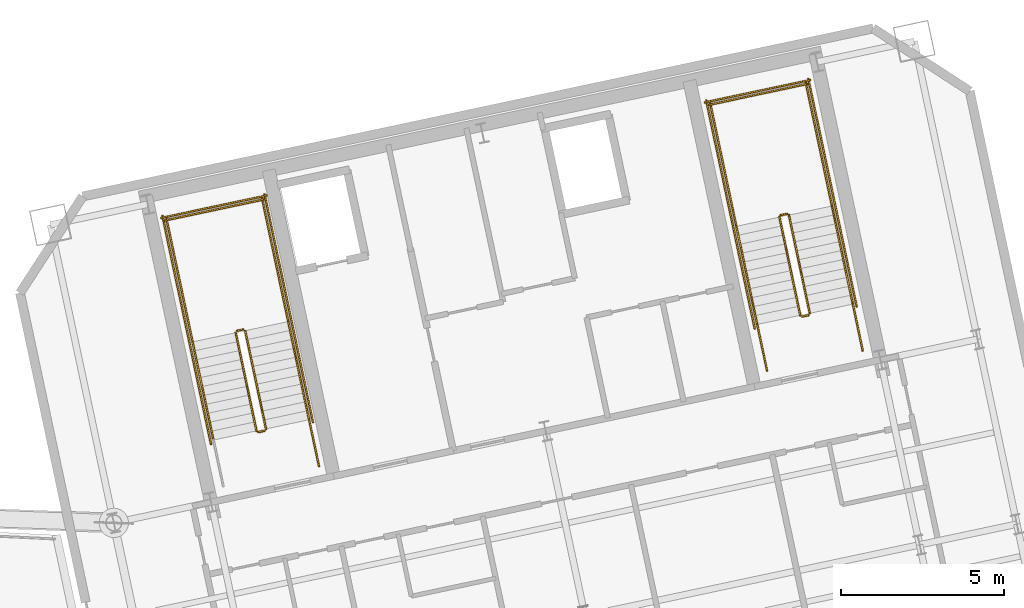
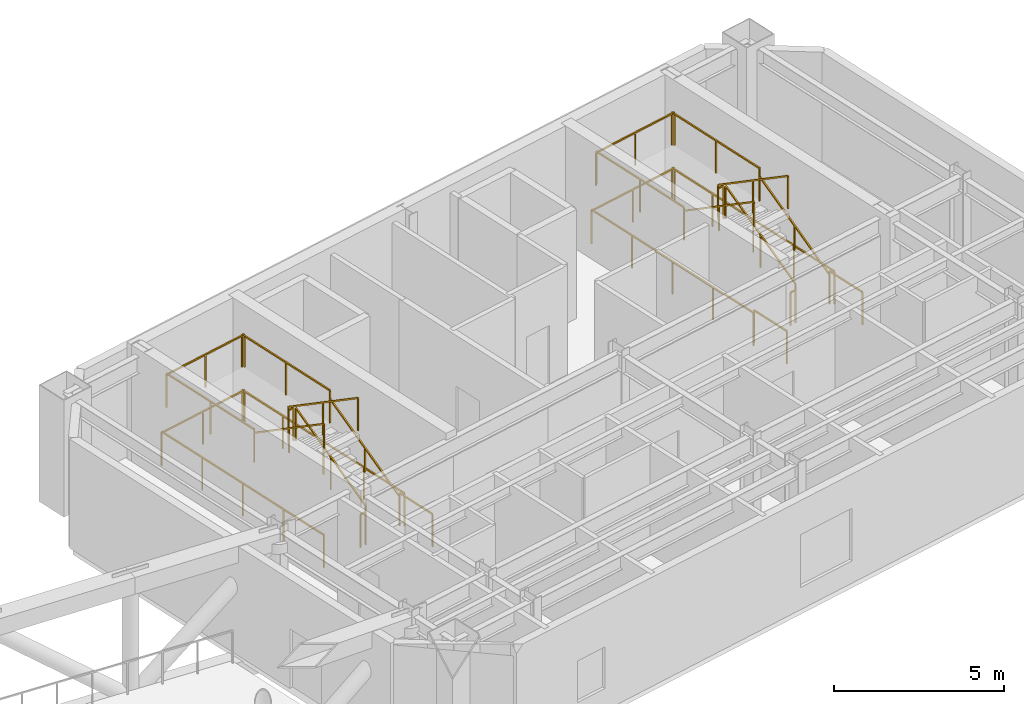
# One storey, part 14 of 14: 27 railings.
"""IFC4 building model written with IfcOpenShell, lengths in metres."""

from ifc_helpers import new_model, si_unit, direction, frame, origin, origin_2d, place, context, subcontext, project, spatial, rectangle, extrude, material, type_object, element, save


model = new_model("IFC4")

# Units and contexts
model_context = context("Model", 3, precision=1e-05, world=origin(), true_north=direction((0.0, 1.0)))
body_context = subcontext(model_context, "Body", "Model", "MODEL_VIEW")
ifc_project = project(units=[si_unit("LENGTHUNIT", "METRE"), si_unit("AREAUNIT", "SQUARE_METRE"), si_unit("VOLUMEUNIT", "CUBIC_METRE"), si_unit("PLANEANGLEUNIT", "RADIAN"), si_unit("MASSUNIT", "GRAM", prefix="KILO")], contexts=[model_context])

# Site, building, storey
site_placement = place(None, origin())
site = spatial("IfcSite", under=ifc_project, at=site_placement, CompositionType="ELEMENT")
building_placement = place(site_placement, origin())
building = spatial("IfcBuilding", under=site, at=building_placement, Name="Haevon Station Towers", CompositionType="ELEMENT")
storey_placement = place(building_placement, frame((0.0, 0.0, 201.300048828125)))
storey = spatial("IfcBuildingStorey", under=building, at=storey_placement, Name="L55", CompositionType="ELEMENT", Elevation=201.300048828125)

# Railings
ifc_material = material(Name="Steel S355", Category="steel")
railing_type_1 = type_object("IfcRailingType", Name="GRD-STR1200", PredefinedType="GUARDRAIL", material=ifc_material)
railing_1_placement = place(storey_placement, frame((100.44140625, 39.69287109375, 0.175048828125)))
element("IfcRailing", 1, at=railing_1_placement, inside=storey, type_object=railing_type_1, Name="L55 ST3 Stair Guard 1", PredefinedType="GUARDRAIL", context=body_context, shape_type="SweptSolid", body=[
    extrude(rectangle(XDim=0.048095703125, YDim=0.048095703125, at=origin_2d()), frame((0.0, 0.0, 1.17578125), z_axis=(-0.176317186199, 0.829490689172, 0.5299598536), x_axis=(-0.978146762005, -0.207915636689, 0.0)), (0.0, 0.0, 1.0), 3.632080078125),
    extrude(rectangle(XDim=0.0419921875, YDim=0.0419921875, at=origin_2d()), origin(), (0.0, 0.0, 1.0), 1.15185546875),
    extrude(rectangle(XDim=0.0419921875, YDim=0.0419921875, at=origin_2d()), frame((-0.3203125, 1.50634765625, 0.96240234375)), (0.0, 0.0, 1.0), 1.15185546875),
    extrude(rectangle(XDim=0.0419921875, YDim=0.0419921875, at=origin_2d()), frame((-0.640380859375, 3.0126953125, 1.9248046875)), (0.0, 0.0, 1.0), 1.15185546875),
])
railing_2_placement = place(storey_placement, frame((99.74169921875, 42.743896484375, 2.099853515625)))
element("IfcRailing", 2, at=railing_2_placement, inside=storey, type_object=railing_type_1, Name="L55 ST3 Stair Guard 2", PredefinedType="GUARDRAIL", context=body_context, shape_type="SweptSolid", body=[
    extrude(rectangle(XDim=0.048095703125, YDim=0.048095703125, at=origin_2d()), frame((0.0, 0.0, 1.17578125), z_axis=(-0.978211583308, -0.207610448392, 0.0), x_axis=(0.207610448392, -0.978211583308, 0.0)), (0.0, 0.0, 1.0), 0.199951171875),
    extrude(rectangle(XDim=0.0419921875, YDim=0.0419921875, at=origin_2d()), origin(), (0.0, 0.0, 1.0), 1.15185546875),
    extrude(rectangle(XDim=0.0419921875, YDim=0.0419921875, at=origin_2d()), frame((-0.195556640625, -0.04150390625, 0.0)), (0.0, 0.0, 1.0), 1.15185546875),
])
railing_3_placement = place(storey_placement, frame((101.12158203125, 42.986083984375, 2.099853515625)))
element("IfcRailing", 3, at=railing_3_placement, inside=storey, type_object=railing_type_1, Name="L55 ST3 Stair Guard 3", PredefinedType="GUARDRAIL", context=body_context, shape_type="SweptSolid", body=[
    extrude(rectangle(XDim=0.048095703125, YDim=0.048095703125, at=origin_2d()), frame((0.0, 0.0, 1.17578125), z_axis=(-0.207930432828, 0.978143616809, 0.0), x_axis=(-0.978143616809, -0.207930432828, 0.0)), (0.0, 0.0, 1.0), 3.869873046875),
    extrude(rectangle(XDim=0.0419921875, YDim=0.0419921875, at=origin_2d()), origin(), (0.0, 0.0, 1.0), 1.15185546875),
    extrude(rectangle(XDim=0.0419921875, YDim=0.0419921875, at=origin_2d()), frame((-0.40234375, 1.892578125, 0.0)), (0.0, 0.0, 1.0), 1.15185546875),
    extrude(rectangle(XDim=0.0419921875, YDim=0.0419921875, at=origin_2d()), frame((-0.8046875, 3.785400390625, 0.0)), (0.0, 0.0, 1.0), 1.15185546875),
])
railing_4_placement = place(storey_placement, frame((98.18701171875, 42.3623046875, 2.099853515625)))
element("IfcRailing", 4, at=railing_4_placement, inside=storey, type_object=railing_type_1, Name="L55 ST3 Stair Guard 4", PredefinedType="GUARDRAIL", context=body_context, shape_type="SweptSolid", body=[
    extrude(rectangle(XDim=0.048095703125, YDim=0.048095703125, at=origin_2d()), frame((0.0, 0.0, 1.17578125), z_axis=(-0.207857246892, 0.978159171564, 0.0), x_axis=(-0.978159171564, -0.207857246892, 0.0)), (0.0, 0.0, 1.0), 3.8701171875),
    extrude(rectangle(XDim=0.0419921875, YDim=0.0419921875, at=origin_2d()), origin(), (0.0, 0.0, 1.0), 1.15185546875),
    extrude(rectangle(XDim=0.0419921875, YDim=0.0419921875, at=origin_2d()), frame((-0.40234375, 1.892822265625, 0.0)), (0.0, 0.0, 1.0), 1.15185546875),
    extrude(rectangle(XDim=0.0419921875, YDim=0.0419921875, at=origin_2d()), frame((-0.804443359375, 3.78564453125, 0.0)), (0.0, 0.0, 1.0), 1.15185546875),
])
railing_5_placement = place(storey_placement, frame((100.376220703125, 46.733154296875, 2.099853515625)))
element("IfcRailing", 5, at=railing_5_placement, inside=storey, type_object=railing_type_1, Name="L55 ST3 Stair Guard 5", PredefinedType="GUARDRAIL", context=body_context, shape_type="SweptSolid", body=[
    extrude(rectangle(XDim=0.048095703125, YDim=0.048095703125, at=origin_2d()), frame((0.0, 0.0, 1.17578125), z_axis=(-0.978146839882, -0.207915270313, 0.0), x_axis=(0.207915270313, -0.978146839882, 0.0)), (0.0, 0.0, 1.0), 3.099853515625),
    extrude(rectangle(XDim=0.0419921875, YDim=0.0419921875, at=origin_2d()), origin(), (0.0, 0.0, 1.0), 1.15185546875),
    extrude(rectangle(XDim=0.0419921875, YDim=0.0419921875, at=origin_2d()), frame((-1.51611328125, -0.322265625, 0.0)), (0.0, 0.0, 1.0), 1.15185546875),
    extrude(rectangle(XDim=0.0419921875, YDim=0.0419921875, at=origin_2d()), frame((-3.0322265625, -0.64453125, 0.0)), (0.0, 0.0, 1.0), 1.15185546875),
])
railing_6_placement = place(storey_placement, frame((99.507568359375, 42.64306640625, 2.27490234375)))
element("IfcRailing", 6, at=railing_6_placement, inside=storey, type_object=railing_type_1, Name="L55 ST3 Stair Guard 6", PredefinedType="GUARDRAIL", context=body_context, shape_type="SweptSolid", body=[
    extrude(rectangle(XDim=0.048095703125, YDim=0.048095703125, at=origin_2d()), frame((0.0, 0.0, 1.17578125), z_axis=(0.176310905062, -0.829461139329, 0.53000819154), x_axis=(0.978146762005, 0.207915636689, 0.0)), (0.0, 0.0, 1.0), 3.632080078125),
    extrude(rectangle(XDim=0.0419921875, YDim=0.0419921875, at=origin_2d()), origin(), (0.0, 0.0, 1.0), 1.15185546875),
    extrude(rectangle(XDim=0.0419921875, YDim=0.0419921875, at=origin_2d()), frame((0.3203125, -1.50634765625, 0.96240234375)), (0.0, 0.0, 1.0), 1.15185546875),
    extrude(rectangle(XDim=0.0419921875, YDim=0.0419921875, at=origin_2d()), frame((0.640380859375, -3.0126953125, 1.925048828125)), (0.0, 0.0, 1.0), 1.15185546875),
])
railing_7_placement = place(storey_placement, frame((100.40283203125, 39.633544921875, 0.0)))
element("IfcRailing", 7, at=railing_7_placement, inside=storey, type_object=railing_type_1, Name="L55 ST3 Stair Guard 7", PredefinedType="GUARDRAIL", context=body_context, shape_type="SweptSolid", body=[
    extrude(rectangle(XDim=0.048095703125, YDim=0.048095703125, at=origin_2d()), frame((0.0, 0.0, 1.17578125), z_axis=(-0.977962931203, -0.208778603291, 0.0), x_axis=(0.208778603291, -0.977962931203, 0.0)), (0.0, 0.0, 1.0), 0.199951171875),
    extrude(rectangle(XDim=0.0419921875, YDim=0.0419921875, at=origin_2d()), origin(), (0.0, 0.0, 1.0), 1.15185546875),
    extrude(rectangle(XDim=0.0419921875, YDim=0.0419921875, at=origin_2d()), frame((-0.195556640625, -0.041748046875, 0.0)), (0.0, 0.0, 1.0), 1.15185546875),
])
railing_8_placement = place(storey_placement, frame((102.0634765625, 38.55517578125, 0.0)))
element("IfcRailing", 8, at=railing_8_placement, inside=storey, type_object=railing_type_1, Name="L55 ST3 Stair Guard 8", PredefinedType="GUARDRAIL", context=body_context, shape_type="SweptSolid", body=[
    extrude(rectangle(XDim=0.048095703125, YDim=0.048095703125, at=origin_2d()), frame((0.0, 0.0, 1.17578125), z_axis=(-0.207953405961, 0.978138732977, 0.0), x_axis=(-0.978138732977, -0.207953405961, 0.0)), (0.0, 0.0, 1.0), 1.449951171875),
    extrude(rectangle(XDim=0.0419921875, YDim=0.0419921875, at=origin_2d()), origin(), (0.0, 0.0, 1.0), 1.15185546875),
    extrude(rectangle(XDim=0.0419921875, YDim=0.0419921875, at=origin_2d()), frame((-0.301513671875, 1.418212890625, 0.0)), (0.0, 0.0, 1.0), 1.15185546875),
])
railing_9_placement = place(storey_placement, frame((101.88037109375, 39.896484375, 0.0)))
element("IfcRailing", 9, at=railing_9_placement, inside=storey, type_object=railing_type_1, Name="L55 ST3 Stair Guard 10", PredefinedType="GUARDRAIL", context=body_context, shape_type="SweptSolid", body=[
    extrude(rectangle(XDim=0.048095703125, YDim=0.048095703125, at=origin_2d()), frame((0.0, 0.0, 1.17578125), z_axis=(-0.207882442208, 0.978153817261, 0.0), x_axis=(-0.978153817261, -0.207882442208, 0.0)), (0.0, 0.0, 1.0), 7.14990234375),
    extrude(rectangle(XDim=0.0419921875, YDim=0.0419921875, at=origin_2d()), origin(), (0.0, 0.0, 1.0), 1.15185546875),
    extrude(rectangle(XDim=0.0419921875, YDim=0.0419921875, at=origin_2d()), frame((-0.37158203125, 1.74853515625, 0.0)), (0.0, 0.0, 1.0), 1.15185546875),
    extrude(rectangle(XDim=0.0419921875, YDim=0.0419921875, at=origin_2d()), frame((-0.7431640625, 3.496826171875, 0.0)), (0.0, 0.0, 1.0), 1.15185546875),
    extrude(rectangle(XDim=0.0419921875, YDim=0.0419921875, at=origin_2d()), frame((-1.11474609375, 5.2451171875, 0.0)), (0.0, 0.0, 1.0), 1.15185546875),
    extrude(rectangle(XDim=0.0419921875, YDim=0.0419921875, at=origin_2d()), frame((-1.486328125, 6.99365234375, 0.0)), (0.0, 0.0, 1.0), 1.15185546875),
])
railing_10_placement = place(storey_placement, frame((98.75048828125, 39.231201171875, 0.0)))
element("IfcRailing", 10, at=railing_10_placement, inside=storey, type_object=railing_type_1, Name="L55 ST3 Stair Guard 11", PredefinedType="GUARDRAIL", context=body_context, shape_type="SweptSolid", body=[
    extrude(rectangle(XDim=0.048095703125, YDim=0.048095703125, at=origin_2d()), frame((0.0, 0.0, 1.17578125), z_axis=(-0.207915112487, 0.978146873429, 0.0), x_axis=(-0.978146873429, -0.207915112487, 0.0)), (0.0, 0.0, 1.0), 7.14990234375),
    extrude(rectangle(XDim=0.0419921875, YDim=0.0419921875, at=origin_2d()), origin(), (0.0, 0.0, 1.0), 1.15185546875),
    extrude(rectangle(XDim=0.0419921875, YDim=0.0419921875, at=origin_2d()), frame((-0.37158203125, 1.74853515625, 0.0)), (0.0, 0.0, 1.0), 1.15185546875),
    extrude(rectangle(XDim=0.0419921875, YDim=0.0419921875, at=origin_2d()), frame((-0.7431640625, 3.496826171875, 0.0)), (0.0, 0.0, 1.0), 1.15185546875),
    extrude(rectangle(XDim=0.0419921875, YDim=0.0419921875, at=origin_2d()), frame((-1.114990234375, 5.2451171875, 0.0)), (0.0, 0.0, 1.0), 1.15185546875),
    extrude(rectangle(XDim=0.0419921875, YDim=0.0419921875, at=origin_2d()), frame((-1.486572265625, 6.99365234375, 0.0)), (0.0, 0.0, 1.0), 1.15185546875),
])
railing_11_placement = place(storey_placement, frame((100.453125, 46.8515625, 0.0)))
element("IfcRailing", 11, at=railing_11_placement, inside=storey, type_object=railing_type_1, Name="L55 ST3 Stair Guard 12", PredefinedType="GUARDRAIL", context=body_context, shape_type="SweptSolid", body=[
    extrude(rectangle(XDim=0.048095703125, YDim=0.048095703125, at=origin_2d()), frame((0.0, 0.0, 1.17578125), z_axis=(-0.978150764849, -0.207896804268, 0.0), x_axis=(0.207896804268, -0.978150764849, 0.0)), (0.0, 0.0, 1.0), 3.2998046875),
    extrude(rectangle(XDim=0.0419921875, YDim=0.0419921875, at=origin_2d()), origin(), (0.0, 0.0, 1.0), 1.15185546875),
    extrude(rectangle(XDim=0.0419921875, YDim=0.0419921875, at=origin_2d()), frame((-1.61376953125, -0.343017578125, 0.0)), (0.0, 0.0, 1.0), 1.15185546875),
    extrude(rectangle(XDim=0.0419921875, YDim=0.0419921875, at=origin_2d()), frame((-3.227783203125, -0.68603515625, 0.0)), (0.0, 0.0, 1.0), 1.15185546875),
])
railing_12_placement = place(storey_placement, frame((117.128662109375, 43.23974609375, 0.175048828125)))
element("IfcRailing", 12, at=railing_12_placement, inside=storey, type_object=railing_type_1, Name="L55 ST4 Stair Guard 1", PredefinedType="GUARDRAIL", context=body_context, shape_type="SweptSolid", body=[
    extrude(rectangle(XDim=0.048095703125, YDim=0.048095703125, at=origin_2d()), frame((0.0, 0.0, 1.17578125), z_axis=(-0.176317186199, 0.829490689172, 0.5299598536), x_axis=(-0.978146762005, -0.207915636689, 0.0)), (0.0, 0.0, 1.0), 3.632080078125),
    extrude(rectangle(XDim=0.0419921875, YDim=0.0419921875, at=origin_2d()), origin(), (0.0, 0.0, 1.0), 1.15185546875),
    extrude(rectangle(XDim=0.0419921875, YDim=0.0419921875, at=origin_2d()), frame((-0.3203125, 1.50634765625, 0.96240234375)), (0.0, 0.0, 1.0), 1.15185546875),
    extrude(rectangle(XDim=0.0419921875, YDim=0.0419921875, at=origin_2d()), frame((-0.640380859375, 3.0126953125, 1.9248046875)), (0.0, 0.0, 1.0), 1.15185546875),
])
railing_13_placement = place(storey_placement, frame((116.428955078125, 46.291015625, 2.099853515625)))
element("IfcRailing", 13, at=railing_13_placement, inside=storey, type_object=railing_type_1, Name="L55 ST4 Stair Guard 2", PredefinedType="GUARDRAIL", context=body_context, shape_type="SweptSolid", body=[
    extrude(rectangle(XDim=0.048095703125, YDim=0.048095703125, at=origin_2d()), frame((0.0, 0.0, 1.17578125), z_axis=(-0.977962931203, -0.208778603291, 0.0), x_axis=(0.208778603291, -0.977962931203, 0.0)), (0.0, 0.0, 1.0), 0.199951171875),
    extrude(rectangle(XDim=0.0419921875, YDim=0.0419921875, at=origin_2d()), origin(), (0.0, 0.0, 1.0), 1.15185546875),
    extrude(rectangle(XDim=0.0419921875, YDim=0.0419921875, at=origin_2d()), frame((-0.195556640625, -0.041748046875, 0.0)), (0.0, 0.0, 1.0), 1.15185546875),
])
for number, where, name in (
    (14, (117.808837890625, 46.533203125, 2.099853515625), "L55 ST4 Stair Guard 3"),
    (15, (114.874267578125, 45.909423828125, 2.099853515625), "L55 ST4 Stair Guard 4"),
):
    element("IfcRailing", number, at=place(storey_placement, frame(where)), inside=storey, type_object=railing_type_1, Name=name, PredefinedType="GUARDRAIL", context=body_context, shape_type="SweptSolid", body=[
        extrude(rectangle(XDim=0.048095703125, YDim=0.048095703125, at=origin_2d()), frame((0.0, 0.0, 1.17578125), z_axis=(-0.207930432828, 0.978143616809, 0.0), x_axis=(-0.978143616809, -0.207930432828, 0.0)), (0.0, 0.0, 1.0), 3.869873046875),
        extrude(rectangle(XDim=0.0419921875, YDim=0.0419921875, at=origin_2d()), origin(), (0.0, 0.0, 1.0), 1.15185546875),
        extrude(rectangle(XDim=0.0419921875, YDim=0.0419921875, at=origin_2d()), frame((-0.40234375, 1.892578125, 0.0)), (0.0, 0.0, 1.0), 1.15185546875),
        extrude(rectangle(XDim=0.0419921875, YDim=0.0419921875, at=origin_2d()), frame((-0.8046875, 3.785400390625, 0.0)), (0.0, 0.0, 1.0), 1.15185546875),
    ])
railing_14_placement = place(storey_placement, frame((117.0634765625, 50.280029296875, 2.099853515625)))
element("IfcRailing", 16, at=railing_14_placement, inside=storey, type_object=railing_type_1, Name="L55 ST4 Stair Guard 5", PredefinedType="GUARDRAIL", context=body_context, shape_type="SweptSolid", body=[
    extrude(rectangle(XDim=0.048095703125, YDim=0.048095703125, at=origin_2d()), frame((0.0, 0.0, 1.17578125), z_axis=(-0.978146839882, -0.207915270313, 0.0), x_axis=(0.207915270313, -0.978146839882, 0.0)), (0.0, 0.0, 1.0), 3.099853515625),
    extrude(rectangle(XDim=0.0419921875, YDim=0.0419921875, at=origin_2d()), origin(), (0.0, 0.0, 1.0), 1.15185546875),
    extrude(rectangle(XDim=0.0419921875, YDim=0.0419921875, at=origin_2d()), frame((-1.51611328125, -0.322265625, 0.0)), (0.0, 0.0, 1.0), 1.15185546875),
    extrude(rectangle(XDim=0.0419921875, YDim=0.0419921875, at=origin_2d()), frame((-3.0322265625, -0.64453125, 0.0)), (0.0, 0.0, 1.0), 1.15185546875),
])
railing_15_placement = place(storey_placement, frame((116.19482421875, 46.18994140625, 2.27490234375)))
element("IfcRailing", 17, at=railing_15_placement, inside=storey, type_object=railing_type_1, Name="L55 ST4 Stair Guard 6", PredefinedType="GUARDRAIL", context=body_context, shape_type="SweptSolid", body=[
    extrude(rectangle(XDim=0.048095703125, YDim=0.048095703125, at=origin_2d()), frame((0.0, 0.0, 1.17578125), z_axis=(0.176310905062, -0.829461139329, 0.53000819154), x_axis=(0.978146762005, 0.207915636689, 0.0)), (0.0, 0.0, 1.0), 3.632080078125),
    extrude(rectangle(XDim=0.0419921875, YDim=0.0419921875, at=origin_2d()), origin(), (0.0, 0.0, 1.0), 1.15185546875),
    extrude(rectangle(XDim=0.0419921875, YDim=0.0419921875, at=origin_2d()), frame((0.3203125, -1.50634765625, 0.96240234375)), (0.0, 0.0, 1.0), 1.15185546875),
    extrude(rectangle(XDim=0.0419921875, YDim=0.0419921875, at=origin_2d()), frame((0.640380859375, -3.0126953125, 1.925048828125)), (0.0, 0.0, 1.0), 1.15185546875),
])
railing_16_placement = place(storey_placement, frame((117.090087890625, 43.180419921875, 0.0)))
element("IfcRailing", 18, at=railing_16_placement, inside=storey, type_object=railing_type_1, Name="L55 ST4 Stair Guard 7", PredefinedType="GUARDRAIL", context=body_context, shape_type="SweptSolid", body=[
    extrude(rectangle(XDim=0.048095703125, YDim=0.048095703125, at=origin_2d()), frame((0.0, 0.0, 1.17578125), z_axis=(-0.978211583308, -0.207610448392, 0.0), x_axis=(0.207610448392, -0.978211583308, 0.0)), (0.0, 0.0, 1.0), 0.199951171875),
    extrude(rectangle(XDim=0.0419921875, YDim=0.0419921875, at=origin_2d()), origin(), (0.0, 0.0, 1.0), 1.15185546875),
    extrude(rectangle(XDim=0.0419921875, YDim=0.0419921875, at=origin_2d()), frame((-0.195556640625, -0.04150390625, 0.0)), (0.0, 0.0, 1.0), 1.15185546875),
])
for number, where, name in (
    (19, (118.75048828125, 42.10205078125, 0.0), "L55 ST4 Stair Guard 8"),
    (20, (115.816162109375, 41.478271484375, 0.0), "L55 ST4 Stair Guard 9"),
):
    element("IfcRailing", number, at=place(storey_placement, frame(where)), inside=storey, type_object=railing_type_1, Name=name, PredefinedType="GUARDRAIL", context=body_context, shape_type="SweptSolid", body=[
        extrude(rectangle(XDim=0.048095703125, YDim=0.048095703125, at=origin_2d()), frame((0.0, 0.0, 1.17578125), z_axis=(-0.207919161079, 0.978146012851, 0.0), x_axis=(-0.978146012851, -0.207919161079, 0.0)), (0.0, 0.0, 1.0), 1.4501953125),
        extrude(rectangle(XDim=0.0419921875, YDim=0.0419921875, at=origin_2d()), origin(), (0.0, 0.0, 1.0), 1.15185546875),
        extrude(rectangle(XDim=0.0419921875, YDim=0.0419921875, at=origin_2d()), frame((-0.301513671875, 1.41845703125, 0.0)), (0.0, 0.0, 1.0), 1.15185546875),
    ])
railing_17_placement = place(storey_placement, frame((118.567626953125, 43.443359375, 0.0)))
element("IfcRailing", 21, at=railing_17_placement, inside=storey, type_object=railing_type_1, Name="L55 ST4 Stair Guard 10", PredefinedType="GUARDRAIL", context=body_context, shape_type="SweptSolid", body=[
    extrude(rectangle(XDim=0.048095703125, YDim=0.048095703125, at=origin_2d()), frame((0.0, 0.0, 1.17578125), z_axis=(-0.207908168386, 0.978148349443, 0.0), x_axis=(-0.978148349443, -0.207908168386, 0.0)), (0.0, 0.0, 1.0), 7.150146484375),
    extrude(rectangle(XDim=0.0419921875, YDim=0.0419921875, at=origin_2d()), origin(), (0.0, 0.0, 1.0), 1.15185546875),
    extrude(rectangle(XDim=0.0419921875, YDim=0.0419921875, at=origin_2d()), frame((-0.37158203125, 1.74853515625, 0.0)), (0.0, 0.0, 1.0), 1.15185546875),
    extrude(rectangle(XDim=0.0419921875, YDim=0.0419921875, at=origin_2d()), frame((-0.7431640625, 3.4970703125, 0.0)), (0.0, 0.0, 1.0), 1.15185546875),
    extrude(rectangle(XDim=0.0419921875, YDim=0.0419921875, at=origin_2d()), frame((-1.114990234375, 5.245361328125, 0.0)), (0.0, 0.0, 1.0), 1.15185546875),
    extrude(rectangle(XDim=0.0419921875, YDim=0.0419921875, at=origin_2d()), frame((-1.486572265625, 6.993896484375, 0.0)), (0.0, 0.0, 1.0), 1.15185546875),
])
railing_18_placement = place(storey_placement, frame((115.4375, 42.778076171875, 0.0)))
element("IfcRailing", 22, at=railing_18_placement, inside=storey, type_object=railing_type_1, Name="L55 ST4 Stair Guard 11", PredefinedType="GUARDRAIL", context=body_context, shape_type="SweptSolid", body=[
    extrude(rectangle(XDim=0.048095703125, YDim=0.048095703125, at=origin_2d()), frame((0.0, 0.0, 1.17578125), z_axis=(-0.207882442208, 0.978153817261, 0.0), x_axis=(-0.978153817261, -0.207882442208, 0.0)), (0.0, 0.0, 1.0), 7.14990234375),
    extrude(rectangle(XDim=0.0419921875, YDim=0.0419921875, at=origin_2d()), origin(), (0.0, 0.0, 1.0), 1.15185546875),
    extrude(rectangle(XDim=0.0419921875, YDim=0.0419921875, at=origin_2d()), frame((-0.37158203125, 1.74853515625, 0.0)), (0.0, 0.0, 1.0), 1.15185546875),
    extrude(rectangle(XDim=0.0419921875, YDim=0.0419921875, at=origin_2d()), frame((-0.7431640625, 3.496826171875, 0.0)), (0.0, 0.0, 1.0), 1.15185546875),
    extrude(rectangle(XDim=0.0419921875, YDim=0.0419921875, at=origin_2d()), frame((-1.11474609375, 5.2451171875, 0.0)), (0.0, 0.0, 1.0), 1.15185546875),
    extrude(rectangle(XDim=0.0419921875, YDim=0.0419921875, at=origin_2d()), frame((-1.486328125, 6.99365234375, 0.0)), (0.0, 0.0, 1.0), 1.15185546875),
])
railing_19_placement = place(storey_placement, frame((117.140380859375, 50.398681640625, 0.0)))
element("IfcRailing", 23, at=railing_19_placement, inside=storey, type_object=railing_type_1, Name="L55 ST4 Stair Guard 12", PredefinedType="GUARDRAIL", context=body_context, shape_type="SweptSolid", body=[
    extrude(rectangle(XDim=0.048095703125, YDim=0.048095703125, at=origin_2d()), frame((0.0, 0.0, 1.17578125), z_axis=(-0.978135717418, -0.207967589567, 0.0), x_axis=(0.207967589567, -0.978135717418, 0.0)), (0.0, 0.0, 1.0), 3.300048828125),
    extrude(rectangle(XDim=0.0419921875, YDim=0.0419921875, at=origin_2d()), origin(), (0.0, 0.0, 1.0), 1.15185546875),
    extrude(rectangle(XDim=0.0419921875, YDim=0.0419921875, at=origin_2d()), frame((-1.61376953125, -0.34326171875, 0.0)), (0.0, 0.0, 1.0), 1.15185546875),
    extrude(rectangle(XDim=0.0419921875, YDim=0.0419921875, at=origin_2d()), frame((-3.227783203125, -0.686279296875, 0.0)), (0.0, 0.0, 1.0), 1.15185546875),
])
railing_type_2 = type_object("IfcRailingType", Name="HND-STR900", PredefinedType="HANDRAIL", material=ifc_material)
railing_20_placement = place(storey_placement, frame((101.761962890625, 39.973388671875, 0.175048828125)))
element("IfcRailing", 24, at=railing_20_placement, inside=storey, type_object=railing_type_2, Name="L55 ST3 Stair Handrail 1", PredefinedType="HANDRAIL", context=body_context, shape_type="SweptSolid", body=[
    extrude(rectangle(XDim=0.048095703125, YDim=0.048095703125, at=origin_2d()), frame((0.0, 0.0, 0.8759765625), z_axis=(-0.176317186199, 0.829490689172, 0.5299598536), x_axis=(-0.978146762005, -0.207915636689, 0.0)), (0.0, 0.0, 1.0), 3.632080078125),
    extrude(rectangle(XDim=0.0419921875, YDim=0.0419921875, at=origin_2d()), origin(), (0.0, 0.0, 1.0), 0.851806640625),
    extrude(rectangle(XDim=0.0419921875, YDim=0.0419921875, at=origin_2d()), frame((-0.3203125, 1.50634765625, 0.96240234375)), (0.0, 0.0, 1.0), 0.851806640625),
    extrude(rectangle(XDim=0.0419921875, YDim=0.0419921875, at=origin_2d()), frame((-0.640380859375, 3.0126953125, 1.9248046875)), (0.0, 0.0, 1.0), 0.851806640625),
])
railing_21_placement = place(storey_placement, frame((98.18701171875, 42.3623046875, 2.27490234375)))
element("IfcRailing", 25, at=railing_21_placement, inside=storey, type_object=railing_type_2, Name="L55 ST3 Stair Handrail 2", PredefinedType="HANDRAIL", context=body_context, shape_type="SweptSolid", body=[
    extrude(rectangle(XDim=0.048095703125, YDim=0.048095703125, at=origin_2d()), frame((0.0, 0.0, 0.8759765625), z_axis=(0.176310905062, -0.829461139329, 0.53000819154), x_axis=(0.978146762005, 0.207915636689, 0.0)), (0.0, 0.0, 1.0), 3.632080078125),
    extrude(rectangle(XDim=0.0419921875, YDim=0.0419921875, at=origin_2d()), origin(), (0.0, 0.0, 1.0), 0.851806640625),
    extrude(rectangle(XDim=0.0419921875, YDim=0.0419921875, at=origin_2d()), frame((0.3203125, -1.50634765625, 0.96240234375)), (0.0, 0.0, 1.0), 0.851806640625),
    extrude(rectangle(XDim=0.0419921875, YDim=0.0419921875, at=origin_2d()), frame((0.640380859375, -3.0126953125, 1.925048828125)), (0.0, 0.0, 1.0), 0.851806640625),
])
railing_22_placement = place(storey_placement, frame((118.448974609375, 43.5205078125, 0.175048828125)))
element("IfcRailing", 26, at=railing_22_placement, inside=storey, type_object=railing_type_2, Name="L55 ST4 Stair Handrail 1", PredefinedType="HANDRAIL", context=body_context, shape_type="SweptSolid", body=[
    extrude(rectangle(XDim=0.048095703125, YDim=0.048095703125, at=origin_2d()), frame((0.0, 0.0, 0.8759765625), z_axis=(-0.176252055083, 0.829500518582, 0.52996613359), x_axis=(-0.978162879887, -0.207839795062, 0.0)), (0.0, 0.0, 1.0), 3.6318359375),
    extrude(rectangle(XDim=0.0419921875, YDim=0.0419921875, at=origin_2d()), origin(), (0.0, 0.0, 1.0), 0.851806640625),
    extrude(rectangle(XDim=0.0419921875, YDim=0.0419921875, at=origin_2d()), frame((-0.320068359375, 1.50634765625, 0.96240234375)), (0.0, 0.0, 1.0), 0.851806640625),
    extrude(rectangle(XDim=0.0419921875, YDim=0.0419921875, at=origin_2d()), frame((-0.64013671875, 3.0126953125, 1.9248046875)), (0.0, 0.0, 1.0), 0.851806640625),
])
railing_23_placement = place(storey_placement, frame((114.874267578125, 45.909423828125, 2.27490234375)))
element("IfcRailing", 27, at=railing_23_placement, inside=storey, type_object=railing_type_2, Name="L55 ST4 Stair Handrail 2", PredefinedType="HANDRAIL", context=body_context, shape_type="SweptSolid", body=[
    extrude(rectangle(XDim=0.048095703125, YDim=0.048095703125, at=origin_2d()), frame((0.0, 0.0, 0.8759765625), z_axis=(0.176310905062, -0.829461139329, 0.53000819154), x_axis=(0.978146762005, 0.207915636689, 0.0)), (0.0, 0.0, 1.0), 3.632080078125),
    extrude(rectangle(XDim=0.0419921875, YDim=0.0419921875, at=origin_2d()), origin(), (0.0, 0.0, 1.0), 0.851806640625),
    extrude(rectangle(XDim=0.0419921875, YDim=0.0419921875, at=origin_2d()), frame((0.3203125, -1.50634765625, 0.96240234375)), (0.0, 0.0, 1.0), 0.851806640625),
    extrude(rectangle(XDim=0.0419921875, YDim=0.0419921875, at=origin_2d()), frame((0.640380859375, -3.0126953125, 1.925048828125)), (0.0, 0.0, 1.0), 0.851806640625),
])

save(model, "model.ifc")
